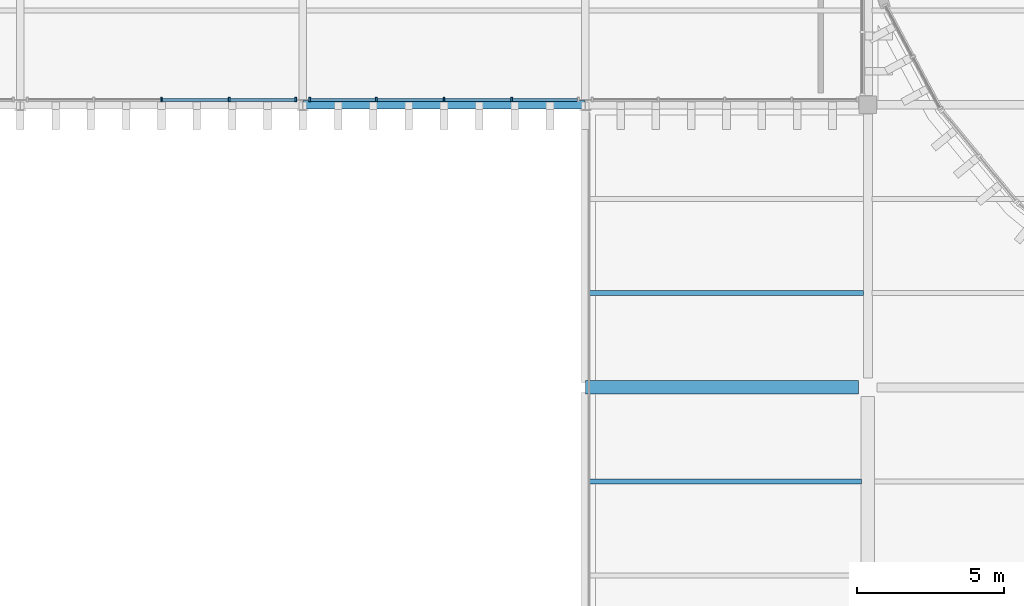
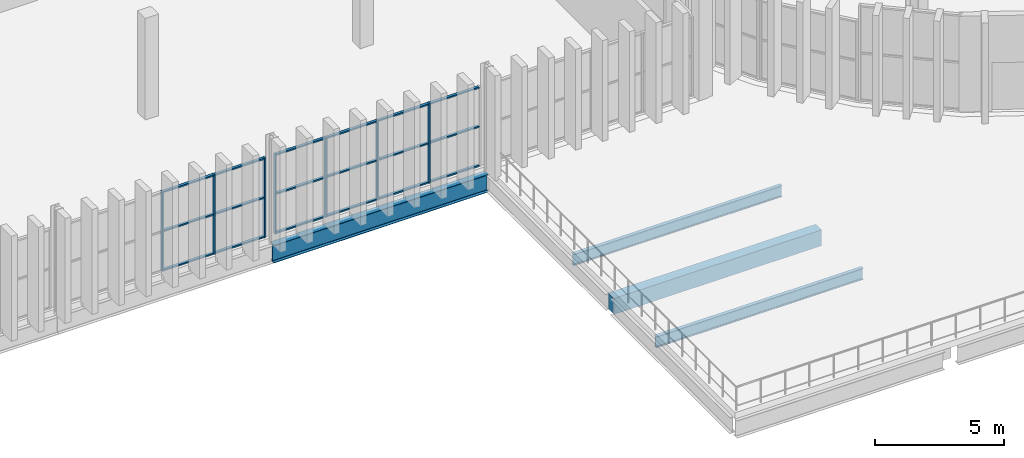
# One storey, part 14 of 99: 25 members, 4 beams, 2 elements without a shape of their own.
"""IFC4 building model written with IfcOpenShell, lengths in metres."""

from ifc_helpers import new_model, si_unit, direction, frame, origin, origin_2d, place, context, subcontext, project, spatial, rectangle, i_section, extrude, material, layer, layer_set, material_profile, profile_set, type_object, element, aggregate, save


model = new_model("IFC4")

# Units and contexts
model_context = context("Model", 3, precision=1e-05, world=origin(), true_north=direction((0.0, 1.0)))
body_context = subcontext(model_context, "Body", "Model", "MODEL_VIEW")
ifc_project = project(units=[si_unit("LENGTHUNIT", "METRE"), si_unit("AREAUNIT", "SQUARE_METRE"), si_unit("VOLUMEUNIT", "CUBIC_METRE"), si_unit("PLANEANGLEUNIT", "RADIAN"), si_unit("MASSUNIT", "GRAM", prefix="KILO")], contexts=[model_context])

# Site, building, storey
site_placement = place(None, origin())
site = spatial("IfcSite", under=ifc_project, at=site_placement, CompositionType="ELEMENT")
building_placement = place(site_placement, origin())
building = spatial("IfcBuilding", under=site, at=building_placement, Name="Caelomonte Colonnade Arena", CompositionType="ELEMENT")
storey_placement = place(building_placement, frame((0.0, 0.0, 4.800048828125)))
storey = spatial("IfcBuildingStorey", under=building, at=storey_placement, Name="L01", CompositionType="ELEMENT", Elevation=4.800048828125)

# Curtain wall, members
ifc_material_1 = material(Name="Bronze anodised aluminium and low-E glazing", Category="aluminium")
ifc_layer = layer(ifc_material_1, 0.179931640625)
ifc_layer_set = layer_set([ifc_layer], Name="Bronze anodised aluminium and low-E glazing")
curtain_wall_type = type_object("IfcCurtainWallType", Name="ENV-CW-CW-L01-96-38", PredefinedType="USERDEFINED", material=ifc_layer_set)
curtain_wall_1_placement = place(storey_placement, origin())
curtain_wall_1 = element("IfcCurtainWall", 1, at=curtain_wall_1_placement, inside=storey, type_object=curtain_wall_type, Name="L01 unitized curtain wall CW-L01-0336-0290", ObjectType="UNITIZED CURTAIN WALL", PredefinedType="USERDEFINED")
ifc_material_2 = material(Name="Bronze anodised aluminium AA6063-T6", Category="aluminium")
ifc_material_profile_1 = material_profile(ifc_material_2, rectangle(XDim=0.06494140625, YDim=0.14990234375, at=origin_2d()), Name="CWM-65X150")
ifc_profile_set_1 = profile_set([ifc_material_profile_1], Name="Bronze anodised aluminium AA6063-T6")
member_type_1 = type_object("IfcMemberType", Name="ENV-CW-MULL2", PredefinedType="MULLION", material=ifc_profile_set_1)
member_1_placement = place(storey_placement, frame((33.60009765625, 28.97998046875, 0.0), z_axis=(0.0, 0.0, 1.0), x_axis=(1.0, 0.0, 0.0)))
member_1 = element("IfcMember", 2, at=member_1_placement, type_object=member_type_1, Name="CW-L01-96-38 mullion 3", PredefinedType="MULLION", context=body_context, shape_type="SweptSolid", body=[
    extrude(rectangle(XDim=0.06494140625, YDim=0.14990234375, at=origin_2d()), origin(), (0.0, 0.0, 1.0), 3.758056640625),
])
member_2_placement = place(storey_placement, frame((35.897705078125, 28.97998046875, 0.0), z_axis=(0.0, 0.0, 1.0), x_axis=(1.0, 0.0, 0.0)))
member_2 = element("IfcMember", 3, at=member_2_placement, type_object=member_type_1, Name="CW-L01-96-38 mullion 4", PredefinedType="MULLION", context=body_context, shape_type="SweptSolid", body=[
    extrude(rectangle(XDim=0.06494140625, YDim=0.14990234375, at=origin_2d()), origin(), (0.0, 0.0, 1.0), 3.758056640625),
])
member_3_placement = place(storey_placement, frame((38.1630859375, 28.97998046875, 0.0), z_axis=(0.0, 0.0, 1.0), x_axis=(1.0, 0.0, 0.0)))
member_3 = element("IfcMember", 4, at=member_3_placement, type_object=member_type_1, Name="CW-L01-96-38 mullion 5", PredefinedType="MULLION", context=body_context, shape_type="SweptSolid", body=[
    extrude(rectangle(XDim=0.06494140625, YDim=0.14990234375, at=origin_2d()), origin(), (0.0, 0.0, 1.0), 3.758056640625),
])

curtain_wall_2_placement = place(storey_placement, origin())
curtain_wall_2 = element("IfcCurtainWall", 5, at=curtain_wall_2_placement, inside=storey, type_object=curtain_wall_type, Name="L01 unitized curtain wall CW-L01-0432-0290", ObjectType="UNITIZED CURTAIN WALL", PredefinedType="USERDEFINED")
member_4_placement = place(storey_placement, frame((38.636962890625, 28.97998046875, 0.0), z_axis=(0.0, 0.0, 1.0), x_axis=(1.0, 0.0, 0.0)))
member_4 = element("IfcMember", 6, at=member_4_placement, type_object=member_type_1, Name="CW-L01-96-38 mullion 1", PredefinedType="MULLION", context=body_context, shape_type="SweptSolid", body=[
    extrude(rectangle(XDim=0.06494140625, YDim=0.14990234375, at=origin_2d()), origin(), (0.0, 0.0, 1.0), 3.758056640625),
])
member_5_placement = place(storey_placement, frame((40.902099609375, 28.97998046875, 0.0), z_axis=(0.0, 0.0, 1.0), x_axis=(1.0, 0.0, 0.0)))
member_5 = element("IfcMember", 7, at=member_5_placement, type_object=member_type_1, Name="CW-L01-96-38 mullion 2", PredefinedType="MULLION", context=body_context, shape_type="SweptSolid", body=[
    extrude(rectangle(XDim=0.06494140625, YDim=0.14990234375, at=origin_2d()), origin(), (0.0, 0.0, 1.0), 3.758056640625),
])
member_6_placement = place(storey_placement, frame((43.199951171875, 28.97998046875, 0.0), z_axis=(0.0, 0.0, 1.0), x_axis=(1.0, 0.0, 0.0)))
member_6 = element("IfcMember", 8, at=member_6_placement, type_object=member_type_1, Name="CW-L01-96-38 mullion 3", PredefinedType="MULLION", context=body_context, shape_type="SweptSolid", body=[
    extrude(rectangle(XDim=0.06494140625, YDim=0.14990234375, at=origin_2d()), origin(), (0.0, 0.0, 1.0), 3.758056640625),
])
member_7_placement = place(storey_placement, frame((45.497802734375, 28.97998046875, 0.0), z_axis=(0.0, 0.0, 1.0), x_axis=(1.0, 0.0, 0.0)))
member_7 = element("IfcMember", 9, at=member_7_placement, type_object=member_type_1, Name="CW-L01-96-38 mullion 4", PredefinedType="MULLION", context=body_context, shape_type="SweptSolid", body=[
    extrude(rectangle(XDim=0.06494140625, YDim=0.14990234375, at=origin_2d()), origin(), (0.0, 0.0, 1.0), 3.758056640625),
])

# Member
ifc_material_profile_2 = material_profile(ifc_material_2, rectangle(XDim=0.06494140625, YDim=0.1201171875, at=origin_2d()), Name="CWT-65X120")
ifc_profile_set_2 = profile_set([ifc_material_profile_2], Name="Bronze anodised aluminium AA6063-T6")
member_type_2 = type_object("IfcMemberType", Name="ENV-CW-TRAN2", PredefinedType="USERDEFINED", material=ifc_profile_set_2)
member_8_placement = place(storey_placement, frame((33.632568359375, 28.97998046875, 0.032470703125), z_axis=(1.0, 0.0, 0.0), x_axis=(0.0, 0.0, 1.0)))
member_8 = element("IfcMember", 10, at=member_8_placement, type_object=member_type_2, Name="CW-L01-96-38 transom 3.1", ObjectType="TRANSOM", PredefinedType="USERDEFINED", context=body_context, shape_type="SweptSolid", body=[
    extrude(rectangle(XDim=0.06494140625, YDim=0.1201171875, at=origin_2d()), origin(), (0.0, 0.0, 1.0), 2.232666015625),
])

member_9_placement = place(storey_placement, frame((33.632568359375, 28.97998046875, 1.87890625), z_axis=(1.0, 0.0, 0.0), x_axis=(0.0, 0.0, 1.0)))
member_9 = element("IfcMember", 11, at=member_9_placement, type_object=member_type_2, Name="CW-L01-96-38 transom 3.2", ObjectType="TRANSOM", PredefinedType="USERDEFINED", context=body_context, shape_type="SweptSolid", body=[
    extrude(rectangle(XDim=0.06494140625, YDim=0.1201171875, at=origin_2d()), origin(), (0.0, 0.0, 1.0), 2.232666015625),
])

member_10_placement = place(storey_placement, frame((33.632568359375, 28.97998046875, 3.725341796875), z_axis=(1.0, 0.0, 0.0), x_axis=(0.0, 0.0, 1.0)))
member_10 = element("IfcMember", 12, at=member_10_placement, type_object=member_type_2, Name="CW-L01-96-38 transom 3.3", ObjectType="TRANSOM", PredefinedType="USERDEFINED", context=body_context, shape_type="SweptSolid", body=[
    extrude(rectangle(XDim=0.06494140625, YDim=0.1201171875, at=origin_2d()), origin(), (0.0, 0.0, 1.0), 2.232666015625),
])

member_11_placement = place(storey_placement, frame((35.930419921875, 28.97998046875, 0.032470703125), z_axis=(1.0, 0.0, 0.0), x_axis=(0.0, 0.0, 1.0)))
member_11 = element("IfcMember", 13, at=member_11_placement, type_object=member_type_2, Name="CW-L01-96-38 transom 4.1", ObjectType="TRANSOM", PredefinedType="USERDEFINED", context=body_context, shape_type="SweptSolid", body=[
    extrude(rectangle(XDim=0.06494140625, YDim=0.1201171875, at=origin_2d()), origin(), (0.0, 0.0, 1.0), 2.2001953125),
])

member_12_placement = place(storey_placement, frame((35.930419921875, 28.97998046875, 1.87890625), z_axis=(1.0, 0.0, 0.0), x_axis=(0.0, 0.0, 1.0)))
member_12 = element("IfcMember", 14, at=member_12_placement, type_object=member_type_2, Name="CW-L01-96-38 transom 4.2", ObjectType="TRANSOM", PredefinedType="USERDEFINED", context=body_context, shape_type="SweptSolid", body=[
    extrude(rectangle(XDim=0.06494140625, YDim=0.1201171875, at=origin_2d()), origin(), (0.0, 0.0, 1.0), 2.2001953125),
])

member_13_placement = place(storey_placement, frame((35.930419921875, 28.97998046875, 3.725341796875), z_axis=(1.0, 0.0, 0.0), x_axis=(0.0, 0.0, 1.0)))
member_13 = element("IfcMember", 15, at=member_13_placement, type_object=member_type_2, Name="CW-L01-96-38 transom 4.3", ObjectType="TRANSOM", PredefinedType="USERDEFINED", context=body_context, shape_type="SweptSolid", body=[
    extrude(rectangle(XDim=0.06494140625, YDim=0.1201171875, at=origin_2d()), origin(), (0.0, 0.0, 1.0), 2.2001953125),
])

aggregate(curtain_wall_1, [member_1, member_2, member_3, member_8, member_9, member_10, member_11, member_12, member_13])

member_14_placement = place(storey_placement, frame((38.66943359375, 28.97998046875, 0.032470703125), z_axis=(1.0, 0.0, 0.0), x_axis=(0.0, 0.0, 1.0)))
member_14 = element("IfcMember", 16, at=member_14_placement, type_object=member_type_2, Name="CW-L01-96-38 transom 1.1", ObjectType="TRANSOM", PredefinedType="USERDEFINED", context=body_context, shape_type="SweptSolid", body=[
    extrude(rectangle(XDim=0.06494140625, YDim=0.1201171875, at=origin_2d()), origin(), (0.0, 0.0, 1.0), 2.2001953125),
])

member_15_placement = place(storey_placement, frame((38.66943359375, 28.97998046875, 1.87890625), z_axis=(1.0, 0.0, 0.0), x_axis=(0.0, 0.0, 1.0)))
member_15 = element("IfcMember", 17, at=member_15_placement, type_object=member_type_2, Name="CW-L01-96-38 transom 1.2", ObjectType="TRANSOM", PredefinedType="USERDEFINED", context=body_context, shape_type="SweptSolid", body=[
    extrude(rectangle(XDim=0.06494140625, YDim=0.1201171875, at=origin_2d()), origin(), (0.0, 0.0, 1.0), 2.2001953125),
])

member_16_placement = place(storey_placement, frame((38.66943359375, 28.97998046875, 3.725341796875), z_axis=(1.0, 0.0, 0.0), x_axis=(0.0, 0.0, 1.0)))
member_16 = element("IfcMember", 18, at=member_16_placement, type_object=member_type_2, Name="CW-L01-96-38 transom 1.3", ObjectType="TRANSOM", PredefinedType="USERDEFINED", context=body_context, shape_type="SweptSolid", body=[
    extrude(rectangle(XDim=0.06494140625, YDim=0.1201171875, at=origin_2d()), origin(), (0.0, 0.0, 1.0), 2.2001953125),
])

member_17_placement = place(storey_placement, frame((40.934814453125, 28.97998046875, 0.032470703125), z_axis=(1.0, 0.0, 0.0), x_axis=(0.0, 0.0, 1.0)))
member_17 = element("IfcMember", 19, at=member_17_placement, type_object=member_type_2, Name="CW-L01-96-38 transom 2.1", ObjectType="TRANSOM", PredefinedType="USERDEFINED", context=body_context, shape_type="SweptSolid", body=[
    extrude(rectangle(XDim=0.06494140625, YDim=0.1201171875, at=origin_2d()), origin(), (0.0, 0.0, 1.0), 2.232666015625),
])

member_18_placement = place(storey_placement, frame((40.934814453125, 28.97998046875, 1.87890625), z_axis=(1.0, 0.0, 0.0), x_axis=(0.0, 0.0, 1.0)))
member_18 = element("IfcMember", 20, at=member_18_placement, type_object=member_type_2, Name="CW-L01-96-38 transom 2.2", ObjectType="TRANSOM", PredefinedType="USERDEFINED", context=body_context, shape_type="SweptSolid", body=[
    extrude(rectangle(XDim=0.06494140625, YDim=0.1201171875, at=origin_2d()), origin(), (0.0, 0.0, 1.0), 2.232666015625),
])

member_19_placement = place(storey_placement, frame((40.934814453125, 28.97998046875, 3.725341796875), z_axis=(1.0, 0.0, 0.0), x_axis=(0.0, 0.0, 1.0)))
member_19 = element("IfcMember", 21, at=member_19_placement, type_object=member_type_2, Name="CW-L01-96-38 transom 2.3", ObjectType="TRANSOM", PredefinedType="USERDEFINED", context=body_context, shape_type="SweptSolid", body=[
    extrude(rectangle(XDim=0.06494140625, YDim=0.1201171875, at=origin_2d()), origin(), (0.0, 0.0, 1.0), 2.232666015625),
])

member_20_placement = place(storey_placement, frame((43.232421875, 28.97998046875, 0.032470703125), z_axis=(1.0, 0.0, 0.0), x_axis=(0.0, 0.0, 1.0)))
member_20 = element("IfcMember", 22, at=member_20_placement, type_object=member_type_2, Name="CW-L01-96-38 transom 3.1", ObjectType="TRANSOM", PredefinedType="USERDEFINED", context=body_context, shape_type="SweptSolid", body=[
    extrude(rectangle(XDim=0.06494140625, YDim=0.1201171875, at=origin_2d()), origin(), (0.0, 0.0, 1.0), 2.23291015625),
])

member_21_placement = place(storey_placement, frame((43.232421875, 28.97998046875, 1.87890625), z_axis=(1.0, 0.0, 0.0), x_axis=(0.0, 0.0, 1.0)))
member_21 = element("IfcMember", 23, at=member_21_placement, type_object=member_type_2, Name="CW-L01-96-38 transom 3.2", ObjectType="TRANSOM", PredefinedType="USERDEFINED", context=body_context, shape_type="SweptSolid", body=[
    extrude(rectangle(XDim=0.06494140625, YDim=0.1201171875, at=origin_2d()), origin(), (0.0, 0.0, 1.0), 2.23291015625),
])

member_22_placement = place(storey_placement, frame((43.232421875, 28.97998046875, 3.725341796875), z_axis=(1.0, 0.0, 0.0), x_axis=(0.0, 0.0, 1.0)))
member_22 = element("IfcMember", 24, at=member_22_placement, type_object=member_type_2, Name="CW-L01-96-38 transom 3.3", ObjectType="TRANSOM", PredefinedType="USERDEFINED", context=body_context, shape_type="SweptSolid", body=[
    extrude(rectangle(XDim=0.06494140625, YDim=0.1201171875, at=origin_2d()), origin(), (0.0, 0.0, 1.0), 2.23291015625),
])

member_23_placement = place(storey_placement, frame((45.5302734375, 28.97998046875, 0.032470703125), z_axis=(1.0, 0.0, 0.0), x_axis=(0.0, 0.0, 1.0)))
member_23 = element("IfcMember", 25, at=member_23_placement, type_object=member_type_2, Name="CW-L01-96-38 transom 4.1", ObjectType="TRANSOM", PredefinedType="USERDEFINED", context=body_context, shape_type="SweptSolid", body=[
    extrude(rectangle(XDim=0.06494140625, YDim=0.1201171875, at=origin_2d()), origin(), (0.0, 0.0, 1.0), 2.200439453125),
])

member_24_placement = place(storey_placement, frame((45.5302734375, 28.97998046875, 1.87890625), z_axis=(1.0, 0.0, 0.0), x_axis=(0.0, 0.0, 1.0)))
member_24 = element("IfcMember", 26, at=member_24_placement, type_object=member_type_2, Name="CW-L01-96-38 transom 4.2", ObjectType="TRANSOM", PredefinedType="USERDEFINED", context=body_context, shape_type="SweptSolid", body=[
    extrude(rectangle(XDim=0.06494140625, YDim=0.1201171875, at=origin_2d()), origin(), (0.0, 0.0, 1.0), 2.200439453125),
])

member_25_placement = place(storey_placement, frame((45.5302734375, 28.97998046875, 3.725341796875), z_axis=(1.0, 0.0, 0.0), x_axis=(0.0, 0.0, 1.0)))
member_25 = element("IfcMember", 27, at=member_25_placement, type_object=member_type_2, Name="CW-L01-96-38 transom 4.3", ObjectType="TRANSOM", PredefinedType="USERDEFINED", context=body_context, shape_type="SweptSolid", body=[
    extrude(rectangle(XDim=0.06494140625, YDim=0.1201171875, at=origin_2d()), origin(), (0.0, 0.0, 1.0), 2.200439453125),
])

aggregate(curtain_wall_2, [member_4, member_5, member_6, member_7, member_14, member_15, member_16, member_17, member_18, member_19, member_20, member_21, member_22, member_23, member_24, member_25])

# Beams
ifc_material_3 = material(Name="Wide-flange steel ASTM A992 Grade 50", Category="steel")
ifc_material_profile_3 = material_profile(ifc_material_3, i_section(OverallWidth=0.2919921875, OverallDepth=0.835693359375, WebThickness=0.013916015625, FlangeThickness=0.018798828125, FilletRadius=0.017822265625, at=origin_2d()), Name="W33X118")
ifc_profile_set_3 = profile_set([ifc_material_profile_3], Name="Wide-flange steel ASTM A992 Grade 50")
beam_type_1 = type_object("IfcBeamType", Name="STR-BM-GIRD33B", PredefinedType="BEAM", material=ifc_profile_set_3)
beam_1_placement = place(storey_placement, frame((38.405517578125, 28.800048828125, -0.7177734375), z_axis=(1.0, 0.0, 0.0), x_axis=(0.0, 1.0, 0.0)))
element("IfcBeam", 28, at=beam_1_placement, inside=storey, type_object=beam_type_1, Name="L01 girder BMX-L01-0384-0288", PredefinedType="BEAM", context=body_context, shape_type="SweptSolid", body=[
    extrude(i_section(OverallWidth=0.2919921875, OverallDepth=0.835693359375, WebThickness=0.013916015625, FlangeThickness=0.018798828125, FilletRadius=0.017822265625, at=origin_2d()), origin(), (0.0, 0.0, 1.0), 9.5888671875),
])
ifc_material_profile_4 = material_profile(ifc_material_3, i_section(OverallWidth=0.166015625, OverallDepth=0.5283203125, WebThickness=0.009765625, FlangeThickness=0.013671875, FilletRadius=0.0126953125, at=origin_2d()), Name="W21X50")
ifc_profile_set_4 = profile_set([ifc_material_profile_4], Name="Wide-flange steel ASTM A992 Grade 50")
beam_type_2 = type_object("IfcBeamType", Name="STR-BM-JOIST21B", PredefinedType="JOIST", material=ifc_profile_set_4)
beam_2_placement = place(storey_placement, frame((48.12841796875, 16.0, -0.564208984375), z_axis=(1.0, 0.0, 0.0), x_axis=(0.0, 1.0, 0.0)))
element("IfcBeam", 29, at=beam_2_placement, inside=storey, type_object=beam_type_2, Name="L01 secondary joist 2", PredefinedType="JOIST", context=body_context, shape_type="SweptSolid", body=[
    extrude(i_section(OverallWidth=0.166015625, OverallDepth=0.5283203125, WebThickness=0.009765625, FlangeThickness=0.013671875, FilletRadius=0.0126953125, at=origin_2d()), origin(), (0.0, 0.0, 1.0), 9.25146484375),
])
beam_3_placement = place(storey_placement, frame((48.12841796875, 22.39990234375, -0.564208984375), z_axis=(1.0, 0.0, 0.0), x_axis=(0.0, 1.0, 0.0)))
element("IfcBeam", 30, at=beam_3_placement, inside=storey, type_object=beam_type_2, Name="L01 secondary joist 1", PredefinedType="JOIST", context=body_context, shape_type="SweptSolid", body=[
    extrude(i_section(OverallWidth=0.166015625, OverallDepth=0.5283203125, WebThickness=0.009765625, FlangeThickness=0.013671875, FilletRadius=0.0126953125, at=origin_2d()), origin(), (0.0, 0.0, 1.0), 9.32275390625),
])
ifc_material_4 = material(Name="Concrete C40/50", Category="concrete")
ifc_material_profile_5 = material_profile(ifc_material_4, rectangle(XDim=0.449951171875, YDim=0.75, at=origin_2d()), Name="RC450X750")
ifc_profile_set_5 = profile_set([ifc_material_profile_5], Name="Concrete C40/50")
beam_type_3 = type_object("IfcBeamType", Name="STR-BM-SPAN24", PredefinedType="SPANDREL", material=ifc_profile_set_5)
beam_4_placement = place(storey_placement, frame((48.005615234375, 19.199951171875, -0.675048828125), z_axis=(1.0, 0.0, 0.0), x_axis=(0.0, 1.0, 0.0)))
element("IfcBeam", 31, at=beam_4_placement, inside=storey, type_object=beam_type_3, Name="L01 girder BMX-L01-0480-0192", PredefinedType="SPANDREL", context=body_context, shape_type="SweptSolid", body=[
    extrude(rectangle(XDim=0.449951171875, YDim=0.75, at=origin_2d()), origin(), (0.0, 0.0, 1.0), 9.27734375),
])

save(model, "model.ifc")
